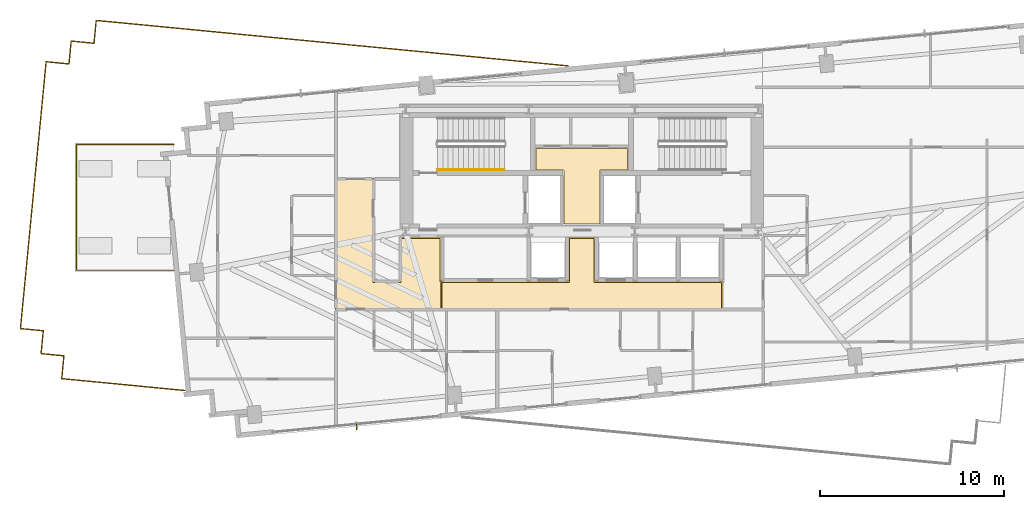
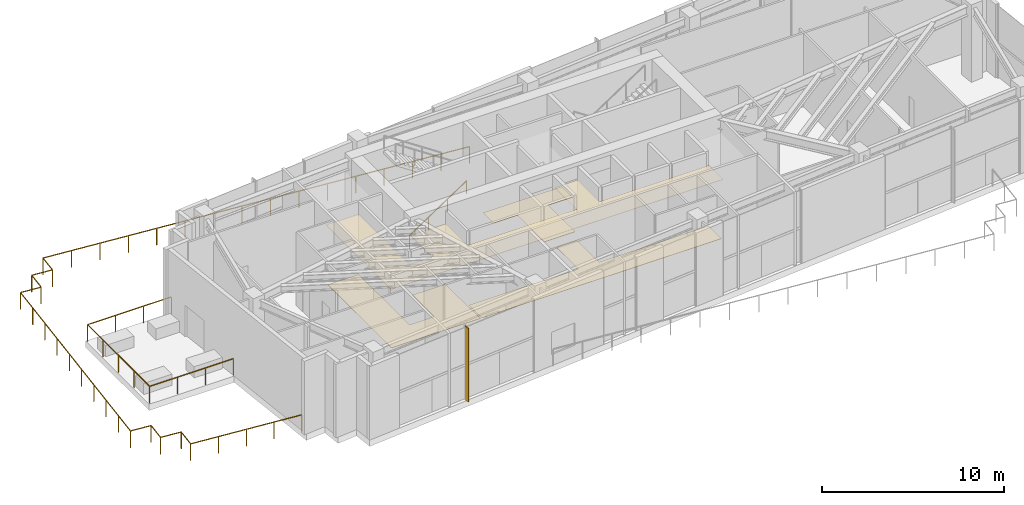
# One storey, part 18 of 21: 5 coverings, 4 railings, 1 shading device.
"""IFC4 building model written with IfcOpenShell, lengths in metres."""

from ifc_helpers import new_model, si_unit, direction, frame, origin, origin_2d, place, context, subcontext, project, spatial, polyline, rectangle, outline, extrude, source, transform, mapped, material, layer, layer_set, type_object, type_shapes, element, save


model = new_model("IFC4")

# Units and contexts
model_context = context("Model", 3, precision=1e-05, world=origin(), true_north=direction((0.0, 1.0)))
body_context = subcontext(model_context, "Body", "Model", "MODEL_VIEW")
ifc_project = project(units=[si_unit("LENGTHUNIT", "METRE"), si_unit("AREAUNIT", "SQUARE_METRE"), si_unit("VOLUMEUNIT", "CUBIC_METRE"), si_unit("PLANEANGLEUNIT", "RADIAN"), si_unit("MASSUNIT", "GRAM", prefix="KILO")], contexts=[model_context])

# Site, building, storey
site_placement = place(None, origin())
site = spatial("IfcSite", under=ifc_project, at=site_placement, CompositionType="ELEMENT")
building_placement = place(site_placement, origin())
building = spatial("IfcBuilding", under=site, at=building_placement, Name="Astriad Promenade Condominiums", CompositionType="ELEMENT")
storey_placement = place(building_placement, frame((0.0, 0.0, 167.800048828125)))
storey = spatial("IfcBuildingStorey", under=building, at=storey_placement, Name="L48", CompositionType="ELEMENT", Elevation=167.800048828125)

# Coverings
ifc_material_1 = material(Name="Mineral-Fibre Acoustic Ceiling Tile")
ifc_layer_1 = layer(ifc_material_1, 0.02490234375)
ifc_layer_set_1 = layer_set([ifc_layer_1], Name="Mineral-Fibre Acoustic Ceiling Tile")
covering_type_1 = type_object("IfcCoveringType", Name="COV-CEIL-ACOUSTIC-25", PredefinedType="CEILING", material=ifc_layer_set_1)
covering_1_placement = place(storey_placement, frame((0.0, 0.0, 3.994873046875)))
element("IfcCovering", 1, at=covering_1_placement, inside=storey, type_object=covering_type_1, Name="CEIL-L48-LLB", PredefinedType="CEILING", context=body_context, shape_type="SweptSolid", body=[
    extrude(outline(polyline([(35.27001953125, 14.679931640625), (35.27001953125, 17.050048828125), (35.27001953125, 17.052978515625), (35.2705078125, 17.055908203125), (35.271240234375, 17.05859375), (35.272216796875, 17.0615234375), (35.2734375, 17.064208984375), (35.275146484375, 17.066650390625), (35.27685546875, 17.069091796875), (35.27880859375, 17.0712890625), (35.281005859375, 17.0732421875), (35.283203125, 17.074951171875), (35.285888671875, 17.076416015625), (35.28857421875, 17.07763671875), (35.291259765625, 17.07861328125), (35.294189453125, 17.079345703125), (35.297119140625, 17.079833984375), (35.300048828125, 17.080078125), (36.699951171875, 17.080078125), (36.702880859375, 17.079833984375), (36.705810546875, 17.079345703125), (36.708740234375, 17.07861328125), (36.71142578125, 17.07763671875), (36.714111328125, 17.076416015625), (36.716796875, 17.074951171875), (36.718994140625, 17.0732421875), (36.72119140625, 17.0712890625), (36.72314453125, 17.069091796875), (36.724853515625, 17.066650390625), (36.7265625, 17.064208984375), (36.727783203125, 17.0615234375), (36.728759765625, 17.05859375), (36.7294921875, 17.055908203125), (36.72998046875, 17.052978515625), (36.72998046875, 17.050048828125), (36.72998046875, 14.679931640625), (43.64990234375, 14.679931640625), (43.65283203125, 14.679931640625), (43.656005859375, 14.679443359375), (43.65869140625, 14.6787109375), (43.66162109375, 14.677734375), (43.6640625, 14.676513671875), (43.666748046875, 14.6748046875), (43.6689453125, 14.673095703125), (43.671142578125, 14.671142578125), (43.673095703125, 14.6689453125), (43.6748046875, 14.666748046875), (43.676513671875, 14.6640625), (43.677734375, 14.66162109375), (43.6787109375, 14.65869140625), (43.679443359375, 14.656005859375), (43.679931640625, 14.65283203125), (43.679931640625, 14.64990234375), (43.679931640625, 13.14990234375), (43.679931640625, 13.147216796875), (43.679443359375, 13.14404296875), (43.6787109375, 13.141357421875), (43.677734375, 13.138427734375), (43.676513671875, 13.135986328125), (43.6748046875, 13.13330078125), (43.673095703125, 13.131103515625), (43.671142578125, 13.12890625), (43.6689453125, 13.126708984375), (43.666748046875, 13.125), (43.6640625, 13.12353515625), (43.66162109375, 13.122314453125), (43.65869140625, 13.121337890625), (43.656005859375, 13.12060546875), (43.65283203125, 13.1201171875), (43.64990234375, 13.1201171875), (28.35009765625, 13.1201171875), (28.34716796875, 13.1201171875), (28.343994140625, 13.12060546875), (28.34130859375, 13.121337890625), (28.33837890625, 13.122314453125), (28.3359375, 13.12353515625), (28.333251953125, 13.125), (28.3310546875, 13.126708984375), (28.328857421875, 13.12890625), (28.326904296875, 13.131103515625), (28.3251953125, 13.13330078125), (28.323486328125, 13.135986328125), (28.322265625, 13.138427734375), (28.3212890625, 13.141357421875), (28.320556640625, 13.14404296875), (28.320068359375, 13.147216796875), (28.320068359375, 13.14990234375), (28.320068359375, 14.659912109375), (28.320068359375, 14.662841796875), (28.320556640625, 14.666015625), (28.3212890625, 14.668701171875), (28.322265625, 14.67138671875), (28.323486328125, 14.674072265625), (28.3251953125, 14.6767578125), (28.326904296875, 14.678955078125), (28.328857421875, 14.68115234375), (28.3310546875, 14.68310546875), (28.333251953125, 14.684814453125), (28.3359375, 14.6865234375), (28.33837890625, 14.687744140625), (28.34130859375, 14.688720703125), (28.343994140625, 14.689453125), (28.34716796875, 14.68994140625), (28.35009765625, 14.68994140625), (33.0, 14.68994140625), (33.0029296875, 14.68994140625), (33.005859375, 14.689453125), (33.0087890625, 14.688720703125), (33.011474609375, 14.687744140625), (33.01416015625, 14.6865234375), (33.0166015625, 14.684814453125), (33.01904296875, 14.68310546875), (33.021240234375, 14.68115234375), (33.022216796875, 14.679931640625), (35.27001953125, 14.679931640625)])), origin(), (0.0, 0.0, 1.0), 0.025146484375),
])
covering_2_placement = place(storey_placement, frame((0.0, 0.0, 3.994873046875)))
element("IfcCovering", 2, at=covering_2_placement, inside=storey, type_object=covering_type_1, Name="CEIL-L48-COR-2", PredefinedType="CEILING", context=body_context, shape_type="SweptSolid", body=[
    extrude(outline(polyline([(22.59716796875, 13.1201171875), (22.593994140625, 13.12060546875), (22.59130859375, 13.121337890625), (22.58837890625, 13.122314453125), (22.5859375, 13.12353515625), (22.583251953125, 13.125), (22.5810546875, 13.126708984375), (22.578857421875, 13.12890625), (22.576904296875, 13.131103515625), (22.5751953125, 13.13330078125), (22.573486328125, 13.135986328125), (22.572265625, 13.138427734375), (22.5712890625, 13.141357421875), (22.570556640625, 13.14404296875), (22.570068359375, 13.147216796875), (22.570068359375, 13.14990234375), (22.570068359375, 20.25), (22.570068359375, 20.2529296875), (22.570556640625, 20.255859375), (22.5712890625, 20.2587890625), (22.572265625, 20.261474609375), (22.573486328125, 20.26416015625), (22.5751953125, 20.2666015625), (22.576904296875, 20.26904296875), (22.578857421875, 20.271240234375), (22.5810546875, 20.273193359375), (22.583251953125, 20.27490234375), (22.5859375, 20.276611328125), (22.58837890625, 20.277587890625), (22.59130859375, 20.27880859375), (22.593994140625, 20.279296875), (22.59716796875, 20.27978515625), (22.60009765625, 20.280029296875), (24.64990234375, 20.280029296875), (24.65283203125, 20.27978515625), (24.656005859375, 20.279296875), (24.65869140625, 20.27880859375), (24.66162109375, 20.277587890625), (24.6640625, 20.276611328125), (24.666748046875, 20.27490234375), (24.6689453125, 20.273193359375), (24.671142578125, 20.271240234375), (24.673095703125, 20.26904296875), (24.6748046875, 20.2666015625), (24.676513671875, 20.26416015625), (24.677734375, 20.261474609375), (24.6787109375, 20.2587890625), (24.679443359375, 20.255859375), (24.679931640625, 20.2529296875), (24.679931640625, 20.25), (24.679931640625, 14.68994140625), (26.090087890625, 14.68994140625), (26.090087890625, 17.050048828125), (26.090087890625, 17.052978515625), (26.090576171875, 17.055908203125), (26.09130859375, 17.05859375), (26.09228515625, 17.0615234375), (26.093505859375, 17.064208984375), (26.09521484375, 17.066650390625), (26.0966796875, 17.069091796875), (26.098876953125, 17.0712890625), (26.10107421875, 17.0732421875), (26.103271484375, 17.074951171875), (26.10595703125, 17.076416015625), (26.1083984375, 17.07763671875), (26.111328125, 17.07861328125), (26.114013671875, 17.079345703125), (26.1171875, 17.079833984375), (26.1201171875, 17.080078125), (28.320068359375, 17.080078125), (28.322998046875, 17.079833984375), (28.325927734375, 17.079345703125), (28.32861328125, 17.07861328125), (28.33154296875, 17.07763671875), (28.333984375, 17.076416015625), (28.336669921875, 17.074951171875), (28.339111328125, 17.0732421875), (28.34130859375, 17.0712890625), (28.34326171875, 17.069091796875), (28.344970703125, 17.066650390625), (28.346435546875, 17.064208984375), (28.34765625, 17.0615234375), (28.3486328125, 17.05859375), (28.349365234375, 17.055908203125), (28.349853515625, 17.052978515625), (28.35009765625, 17.050048828125), (28.35009765625, 14.7099609375), (28.34912109375, 14.7099609375), (28.34619140625, 14.709716796875), (28.343994140625, 14.709716796875), (28.34130859375, 14.709228515625), (28.33935546875, 14.708740234375), (28.33642578125, 14.7080078125), (28.334716796875, 14.70751953125), (28.331787109375, 14.70654296875), (28.330078125, 14.705810546875), (28.327392578125, 14.70458984375), (28.32568359375, 14.70361328125), (28.322998046875, 14.7021484375), (28.3212890625, 14.700927734375), (28.319091796875, 14.69921875), (28.3173828125, 14.697998046875), (28.3154296875, 14.696044921875), (28.31396484375, 14.694580078125), (28.31201171875, 14.6923828125), (28.310791015625, 14.69091796875), (28.30908203125, 14.688720703125), (28.307861328125, 14.68701171875), (28.306396484375, 14.684326171875), (28.305419921875, 14.6826171875), (28.30419921875, 14.679931640625), (28.303466796875, 14.67822265625), (28.302490234375, 14.67529296875), (28.302001953125, 14.673583984375), (28.30126953125, 14.670654296875), (28.30078125, 14.668701171875), (28.30029296875, 14.666015625), (28.30029296875, 14.663818359375), (28.300048828125, 14.660888671875), (28.300048828125, 14.659912109375), (28.300048828125, 13.14990234375), (28.300048828125, 13.14892578125), (28.30029296875, 13.14599609375), (28.30029296875, 13.14404296875), (28.30078125, 13.14111328125), (28.30126953125, 13.139404296875), (28.302001953125, 13.136474609375), (28.302490234375, 13.134521484375), (28.303466796875, 13.1318359375), (28.30419921875, 13.1298828125), (28.305419921875, 13.127197265625), (28.306396484375, 13.12548828125), (28.307861328125, 13.123046875), (28.30908203125, 13.121337890625), (28.31005859375, 13.1201171875), (22.60009765625, 13.1201171875), (22.59716796875, 13.1201171875)])), origin(), (0.0, 0.0, 1.0), 0.025146484375),
])
ifc_material_2 = material(Name="Polished Lakefront Terrazzo Flooring")
ifc_layer_2 = layer(ifc_material_2, 0.02001953125)
ifc_layer_set_2 = layer_set([ifc_layer_2], Name="Polished Lakefront Terrazzo Flooring")
covering_type_2 = type_object("IfcCoveringType", Name="COV-FLOR-TERRAZZO-20", PredefinedType="FLOORING", material=ifc_layer_set_2)
covering_3_placement = place(storey_placement, origin())
element("IfcCovering", 3, at=covering_3_placement, inside=storey, type_object=covering_type_2, Name="FLR-L48-CSL", PredefinedType="FLOORING", context=body_context, shape_type="SweptSolid", body=[
    extrude(outline(polyline([(36.97998046875, 20.699951171875), (36.97998046875, 17.7900390625), (35.02001953125, 17.7900390625), (35.02001953125, 20.699951171875), (35.019775390625, 20.703857421875), (35.019287109375, 20.707763671875), (35.018310546875, 20.711669921875), (35.01708984375, 20.71533203125), (35.015380859375, 20.718994140625), (35.01318359375, 20.72216796875), (35.010986328125, 20.725341796875), (35.00830078125, 20.728271484375), (35.00537109375, 20.73095703125), (35.002197265625, 20.7333984375), (34.998779296875, 20.7353515625), (34.995361328125, 20.737060546875), (34.99169921875, 20.73828125), (34.98779296875, 20.7392578125), (34.98388671875, 20.73974609375), (34.97998046875, 20.739990234375), (33.5, 20.739990234375), (33.5, 21.909912109375), (38.5, 21.909912109375), (38.5, 20.739990234375), (37.02001953125, 20.739990234375), (37.01611328125, 20.73974609375), (37.01220703125, 20.7392578125), (37.00830078125, 20.73828125), (37.004638671875, 20.737060546875), (37.001220703125, 20.7353515625), (36.997802734375, 20.7333984375), (36.99462890625, 20.73095703125), (36.99169921875, 20.728271484375), (36.989013671875, 20.725341796875), (36.98681640625, 20.72216796875), (36.984619140625, 20.718994140625), (36.98291015625, 20.71533203125), (36.981689453125, 20.711669921875), (36.980712890625, 20.707763671875), (36.980224609375, 20.703857421875), (36.97998046875, 20.699951171875)])), origin(), (0.0, 0.0, 1.0), 0.02001953125),
])
covering_4_placement = place(storey_placement, origin())
element("IfcCovering", 4, at=covering_4_placement, inside=storey, type_object=covering_type_2, Name="FLR-L48-LLB", PredefinedType="FLOORING", context=body_context, shape_type="SweptSolid", body=[
    extrude(outline(polyline([(32.9736328125, 14.6201171875), (32.974609375, 14.619140625), (32.977783203125, 14.61669921875), (32.981201171875, 14.61474609375), (32.984619140625, 14.613037109375), (32.98828125, 14.61181640625), (32.9921875, 14.61083984375), (32.99609375, 14.610107421875), (33.0, 14.610107421875), (35.300048828125, 14.610107421875), (35.303955078125, 14.610107421875), (35.307861328125, 14.61083984375), (35.3115234375, 14.61181640625), (35.315185546875, 14.613037109375), (35.31884765625, 14.61474609375), (35.322265625, 14.61669921875), (35.325439453125, 14.619140625), (35.328369140625, 14.62158203125), (35.330810546875, 14.62451171875), (35.333251953125, 14.627685546875), (35.335205078125, 14.631103515625), (35.3369140625, 14.634765625), (35.33837890625, 14.638427734375), (35.339111328125, 14.64208984375), (35.33984375, 14.64599609375), (35.340087890625, 14.64990234375), (35.340087890625, 17.010009765625), (36.659912109375, 17.010009765625), (36.659912109375, 14.64990234375), (36.66015625, 14.64599609375), (36.660888671875, 14.64208984375), (36.66162109375, 14.638427734375), (36.6630859375, 14.634765625), (36.664794921875, 14.631103515625), (36.666748046875, 14.627685546875), (36.669189453125, 14.62451171875), (36.671630859375, 14.62158203125), (36.674560546875, 14.619140625), (36.677734375, 14.61669921875), (36.68115234375, 14.61474609375), (36.684814453125, 14.613037109375), (36.6884765625, 14.61181640625), (36.692138671875, 14.61083984375), (36.696044921875, 14.610107421875), (36.699951171875, 14.610107421875), (43.610107421875, 14.610107421875), (43.610107421875, 13.18994140625), (28.389892578125, 13.18994140625), (28.389892578125, 14.6201171875), (32.9736328125, 14.6201171875)])), origin(), (0.0, 0.0, 1.0), 0.02001953125),
])
covering_5_placement = place(storey_placement, origin())
element("IfcCovering", 5, at=covering_5_placement, inside=storey, type_object=covering_type_2, Name="FLR-L48-COR-2", PredefinedType="FLOORING", context=body_context, shape_type="SweptSolid", body=[
    extrude(outline(polyline([(28.300048828125, 13.18994140625), (22.639892578125, 13.18994140625), (22.639892578125, 20.2099609375), (24.610107421875, 20.2099609375), (24.610107421875, 14.659912109375), (24.610107421875, 14.656005859375), (24.61083984375, 14.652099609375), (24.61181640625, 14.6484375), (24.613037109375, 14.644775390625), (24.61474609375, 14.64111328125), (24.61669921875, 14.6376953125), (24.619140625, 14.634521484375), (24.62158203125, 14.631591796875), (24.62451171875, 14.629150390625), (24.627685546875, 14.626708984375), (24.631103515625, 14.624755859375), (24.634765625, 14.623046875), (24.638427734375, 14.62158203125), (24.64208984375, 14.620849609375), (24.64599609375, 14.6201171875), (24.64990234375, 14.6201171875), (26.1201171875, 14.6201171875), (26.123779296875, 14.6201171875), (26.127685546875, 14.620849609375), (26.131591796875, 14.62158203125), (26.13525390625, 14.623046875), (26.138916015625, 14.624755859375), (26.14208984375, 14.626708984375), (26.1455078125, 14.629150390625), (26.148193359375, 14.631591796875), (26.15087890625, 14.634521484375), (26.1533203125, 14.6376953125), (26.1552734375, 14.64111328125), (26.156982421875, 14.644775390625), (26.158203125, 14.6484375), (26.1591796875, 14.652099609375), (26.159912109375, 14.656005859375), (26.159912109375, 14.659912109375), (26.159912109375, 17.010009765625), (28.280029296875, 17.010009765625), (28.280029296875, 14.659912109375), (28.2802734375, 14.656005859375), (28.28076171875, 14.652099609375), (28.28173828125, 14.6484375), (28.282958984375, 14.644775390625), (28.28466796875, 14.64111328125), (28.28662109375, 14.6376953125), (28.2890625, 14.634521484375), (28.291748046875, 14.631591796875), (28.294677734375, 14.629150390625), (28.2978515625, 14.626708984375), (28.300048828125, 14.62548828125), (28.300048828125, 13.18994140625)])), origin(), (0.0, 0.0, 1.0), 0.02001953125),
])

# Railings
ifc_material_3 = material(Name="Anodised Aluminium and Glass Terrace Guardrail", Category="aluminium")
railing_type_1 = type_object("IfcRailingType", Name="GRD-TERR-1150", PredefinedType="GUARDRAIL", material=ifc_material_3)
shared_shape_1 = source(origin(), body_context, "Body", "SweptSolid", [
    extrude(rectangle(XDim=0.048095703125, YDim=0.048095703125, at=origin_2d()), frame((0.0, 0.0, 1.1259765625), z_axis=(-0.995392196914, 0.095887300115, 0.0), x_axis=(-0.095887300115, -0.995392196914, 0.0)), (0.0, 0.0, 1.0), 1.250244140625),
    extrude(rectangle(XDim=0.048095703125, YDim=0.048095703125, at=origin_2d()), frame((-1.244384765625, 0.119873046875, 1.1259765625), z_axis=(0.09590594325, 0.995390400822, 0.0), x_axis=(-0.995390400822, 0.09590594325, 0.0)), (0.0, 0.0, 1.0), 1.25),
    extrude(rectangle(XDim=0.048095703125, YDim=0.048095703125, at=origin_2d()), frame((-1.12451171875, 1.364013671875, 1.1259765625), z_axis=(-0.995392196914, 0.095887300115, 0.0), x_axis=(-0.095887300115, -0.995392196914, 0.0)), (0.0, 0.0, 1.0), 1.250244140625),
    extrude(rectangle(XDim=0.048095703125, YDim=0.048095703125, at=origin_2d()), frame((-2.368896484375, 1.48388671875, 1.1259765625), z_axis=(0.095850691846, 0.995395722752, 0.0), x_axis=(-0.995395722752, 0.095850691846, 0.0)), (0.0, 0.0, 1.0), 14.599853515625),
    extrude(rectangle(XDim=0.048095703125, YDim=0.048095703125, at=origin_2d()), frame((-0.969482421875, 16.0166015625, 1.1259765625), z_axis=(0.995410817983, -0.095693800434, 0.0), x_axis=(0.095693800434, 0.995410817983, 0.0)), (0.0, 0.0, 1.0), 1.25),
    extrude(rectangle(XDim=0.048095703125, YDim=0.048095703125, at=origin_2d()), frame((0.27490234375, 15.89697265625, 1.1259765625), z_axis=(0.095712406644, 0.9954090291, 0.0), x_axis=(-0.9954090291, 0.095712406644, 0.0)), (0.0, 0.0, 1.0), 1.25),
    extrude(rectangle(XDim=0.048095703125, YDim=0.048095703125, at=origin_2d()), frame((0.39453125, 17.14111328125, 1.1259765625), z_axis=(0.995392196914, -0.095887300115, 0.0), x_axis=(0.095887300115, 0.995392196914, 0.0)), (0.0, 0.0, 1.0), 1.250244140625),
    extrude(rectangle(XDim=0.048095703125, YDim=0.048095703125, at=origin_2d()), frame((1.638916015625, 17.021240234375, 1.1259765625), z_axis=(0.09590594325, 0.995390400822, 0.0), x_axis=(-0.995390400822, 0.09590594325, 0.0)), (0.0, 0.0, 1.0), 1.25),
    extrude(rectangle(XDim=0.048095703125, YDim=0.048095703125, at=origin_2d()), frame((1.7587890625, 18.265380859375, 1.1259765625), z_axis=(0.995396486339, -0.095842761772, 0.0), x_axis=(0.095842761772, 0.995396486339, 0.0)), (0.0, 0.0, 1.0), 25.8017578125),
    extrude(rectangle(XDim=0.0419921875, YDim=0.0419921875, at=origin_2d()), origin(), (0.0, 0.0, 1.0), 1.101806640625),
    extrude(rectangle(XDim=0.0419921875, YDim=0.0419921875, at=origin_2d()), frame((-1.244384765625, 0.119873046875, 0.0)), (0.0, 0.0, 1.0), 1.101806640625),
    extrude(rectangle(XDim=0.0419921875, YDim=0.0419921875, at=origin_2d()), frame((-1.12451171875, 1.364013671875, 0.0)), (0.0, 0.0, 1.0), 1.101806640625),
    extrude(rectangle(XDim=0.0419921875, YDim=0.0419921875, at=origin_2d()), frame((-2.368896484375, 1.48388671875, 0.0)), (0.0, 0.0, 1.0), 1.101806640625),
    extrude(rectangle(XDim=0.0419921875, YDim=0.0419921875, at=origin_2d()), frame((-2.21337890625, 3.0986328125, 0.0)), (0.0, 0.0, 1.0), 1.101806640625),
    extrude(rectangle(XDim=0.0419921875, YDim=0.0419921875, at=origin_2d()), frame((-2.057861328125, 4.71337890625, 0.0)), (0.0, 0.0, 1.0), 1.101806640625),
    extrude(rectangle(XDim=0.0419921875, YDim=0.0419921875, at=origin_2d()), frame((-1.90234375, 6.328125, 0.0)), (0.0, 0.0, 1.0), 1.101806640625),
    extrude(rectangle(XDim=0.0419921875, YDim=0.0419921875, at=origin_2d()), frame((-1.746826171875, 7.94287109375, 0.0)), (0.0, 0.0, 1.0), 1.101806640625),
    extrude(rectangle(XDim=0.0419921875, YDim=0.0419921875, at=origin_2d()), frame((-1.591552734375, 9.5576171875, 0.0)), (0.0, 0.0, 1.0), 1.101806640625),
    extrude(rectangle(XDim=0.0419921875, YDim=0.0419921875, at=origin_2d()), frame((-1.43603515625, 11.17236328125, 0.0)), (0.0, 0.0, 1.0), 1.101806640625),
    extrude(rectangle(XDim=0.0419921875, YDim=0.0419921875, at=origin_2d()), frame((-1.280517578125, 12.787109375, 0.0)), (0.0, 0.0, 1.0), 1.101806640625),
    extrude(rectangle(XDim=0.0419921875, YDim=0.0419921875, at=origin_2d()), frame((-1.125, 14.40185546875, 0.0)), (0.0, 0.0, 1.0), 1.101806640625),
    extrude(rectangle(XDim=0.0419921875, YDim=0.0419921875, at=origin_2d()), frame((-0.969482421875, 16.0166015625, 0.0)), (0.0, 0.0, 1.0), 1.101806640625),
    extrude(rectangle(XDim=0.0419921875, YDim=0.0419921875, at=origin_2d()), frame((0.27490234375, 15.89697265625, 0.0)), (0.0, 0.0, 1.0), 1.101806640625),
    extrude(rectangle(XDim=0.0419921875, YDim=0.0419921875, at=origin_2d()), frame((0.39453125, 17.14111328125, 0.0)), (0.0, 0.0, 1.0), 1.101806640625),
    extrude(rectangle(XDim=0.0419921875, YDim=0.0419921875, at=origin_2d()), frame((1.638916015625, 17.021240234375, 0.0)), (0.0, 0.0, 1.0), 1.101806640625),
    extrude(rectangle(XDim=0.0419921875, YDim=0.0419921875, at=origin_2d()), frame((1.7587890625, 18.265380859375, 0.0)), (0.0, 0.0, 1.0), 1.101806640625),
    extrude(rectangle(XDim=0.0419921875, YDim=0.0419921875, at=origin_2d()), frame((3.470947265625, 18.1005859375, 0.0)), (0.0, 0.0, 1.0), 1.101806640625),
    extrude(rectangle(XDim=0.0419921875, YDim=0.0419921875, at=origin_2d()), frame((5.18310546875, 17.935546875, 0.0)), (0.0, 0.0, 1.0), 1.101806640625),
    extrude(rectangle(XDim=0.0419921875, YDim=0.0419921875, at=origin_2d()), frame((6.895263671875, 17.770751953125, 0.0)), (0.0, 0.0, 1.0), 1.101806640625),
    extrude(rectangle(XDim=0.0419921875, YDim=0.0419921875, at=origin_2d()), frame((8.607666015625, 17.60595703125, 0.0)), (0.0, 0.0, 1.0), 1.101806640625),
    extrude(rectangle(XDim=0.0419921875, YDim=0.0419921875, at=origin_2d()), frame((10.31982421875, 17.441162109375, 0.0)), (0.0, 0.0, 1.0), 1.101806640625),
    extrude(rectangle(XDim=0.0419921875, YDim=0.0419921875, at=origin_2d()), frame((12.031982421875, 17.276123046875, 0.0)), (0.0, 0.0, 1.0), 1.101806640625),
    extrude(rectangle(XDim=0.0419921875, YDim=0.0419921875, at=origin_2d()), frame((13.744140625, 17.111328125, 0.0)), (0.0, 0.0, 1.0), 1.101806640625),
    extrude(rectangle(XDim=0.0419921875, YDim=0.0419921875, at=origin_2d()), frame((15.456298828125, 16.946533203125, 0.0)), (0.0, 0.0, 1.0), 1.101806640625),
    extrude(rectangle(XDim=0.0419921875, YDim=0.0419921875, at=origin_2d()), frame((17.16845703125, 16.78173828125, 0.0)), (0.0, 0.0, 1.0), 1.101806640625),
    extrude(rectangle(XDim=0.0419921875, YDim=0.0419921875, at=origin_2d()), frame((18.880615234375, 16.61669921875, 0.0)), (0.0, 0.0, 1.0), 1.101806640625),
    extrude(rectangle(XDim=0.0419921875, YDim=0.0419921875, at=origin_2d()), frame((20.5927734375, 16.451904296875, 0.0)), (0.0, 0.0, 1.0), 1.101806640625),
    extrude(rectangle(XDim=0.0419921875, YDim=0.0419921875, at=origin_2d()), frame((22.30517578125, 16.287109375, 0.0)), (0.0, 0.0, 1.0), 1.101806640625),
    extrude(rectangle(XDim=0.0419921875, YDim=0.0419921875, at=origin_2d()), frame((24.017333984375, 16.122314453125, 0.0)), (0.0, 0.0, 1.0), 1.101806640625),
    extrude(rectangle(XDim=0.0419921875, YDim=0.0419921875, at=origin_2d()), frame((25.7294921875, 15.957275390625, 0.0)), (0.0, 0.0, 1.0), 1.101806640625),
    extrude(rectangle(XDim=0.0419921875, YDim=0.0419921875, at=origin_2d()), frame((27.441650390625, 15.79248046875, 0.0)), (0.0, 0.0, 1.0), 1.101806640625),
])
railing_1_placement = place(storey_placement, frame((7.79248046875, 10.618408203125, 0.0)))
element("IfcRailing", 6, at=railing_1_placement, inside=storey, type_object=railing_type_1, Name="GRD-TSTEP-L48-01", PredefinedType="GUARDRAIL", context=body_context, shape_type="MappedRepresentation", body=[
    mapped(shared_shape_1, transform((0.0, 0.0, 0.0), scale=1.0)),
])
shared_shape_2 = source(origin(), body_context, "Body", "SweptSolid", [
    extrude(rectangle(XDim=0.048095703125, YDim=0.048095703125, at=origin_2d()), frame((0.0, 0.0, 1.1259765625), z_axis=(-0.995396201737, 0.09584571752, 0.0), x_axis=(-0.09584571752, -0.995396201737, 0.0)), (0.0, 0.0, 1.0), 6.73486328125),
    extrude(rectangle(XDim=0.048095703125, YDim=0.048095703125, at=origin_2d()), frame((-6.703857421875, 0.6455078125, 1.1259765625), z_axis=(0.09590594325, 0.995390400822, 0.0), x_axis=(-0.995390400822, 0.09590594325, 0.0)), (0.0, 0.0, 1.0), 1.25),
    extrude(rectangle(XDim=0.0419921875, YDim=0.0419921875, at=origin_2d()), origin(), (0.0, 0.0, 1.0), 1.101806640625),
    extrude(rectangle(XDim=0.0419921875, YDim=0.0419921875, at=origin_2d()), frame((-1.676025390625, 0.161376953125, 0.0)), (0.0, 0.0, 1.0), 1.101806640625),
    extrude(rectangle(XDim=0.0419921875, YDim=0.0419921875, at=origin_2d()), frame((-3.35205078125, 0.32275390625, 0.0)), (0.0, 0.0, 1.0), 1.101806640625),
    extrude(rectangle(XDim=0.0419921875, YDim=0.0419921875, at=origin_2d()), frame((-5.02783203125, 0.484130859375, 0.0)), (0.0, 0.0, 1.0), 1.101806640625),
    extrude(rectangle(XDim=0.0419921875, YDim=0.0419921875, at=origin_2d()), frame((-6.703857421875, 0.6455078125, 0.0)), (0.0, 0.0, 1.0), 1.101806640625),
    extrude(rectangle(XDim=0.0419921875, YDim=0.0419921875, at=origin_2d()), frame((-6.583984375, 1.8896484375, 0.0)), (0.0, 0.0, 1.0), 1.101806640625),
])
railing_2_placement = place(storey_placement, frame((14.37646484375, 8.728759765625, 0.0)))
element("IfcRailing", 7, at=railing_2_placement, inside=storey, type_object=railing_type_1, Name="GRD-TSTEP-L48-02", PredefinedType="GUARDRAIL", context=body_context, shape_type="MappedRepresentation", body=[
    mapped(shared_shape_2, transform((0.0, 0.0, 0.0), scale=1.0)),
])

# Shading device
ifc_material_4 = material(Name="Anodised aluminium 6063-T6 Black Fin", Category="aluminium")
shading_device_type = type_object("IfcShadingDeviceType", Name="FIN-BLACK-260", PredefinedType="USERDEFINED", material=ifc_material_4)
shared_shape_3 = source(origin(), body_context, "Body", "SweptSolid", [
    extrude(rectangle(XDim=0.06494140625, YDim=0.320068359375, at=origin_2d()), origin(), (0.0, 0.0, 1.0), 4.93994140625),
])
type_shapes(shading_device_type, [shared_shape_3])
shading_device_placement = place(storey_placement, frame((23.7333984375, 6.758056640625, 0.0), z_axis=(0.0, 0.0, 1.0), x_axis=(-0.995396198367, -0.09584575252, 0.0)))
element("IfcShadingDevice", 8, at=shading_device_placement, inside=storey, type_object=shading_device_type, Name="CW-L48-S-5-FIN-01", ObjectType="FIN", PredefinedType="USERDEFINED", context=body_context, shape_type="MappedRepresentation", body=[
    mapped(shared_shape_3, transform((0.0, 0.0, 0.0), scale=1.0)),
])

# Railings
shared_shape_4 = source(origin(), body_context, "Body", "SweptSolid", [
    extrude(rectangle(XDim=0.048095703125, YDim=0.048095703125, at=origin_2d()), frame((0.0, 0.0, 1.1259765625), z_axis=(-1.0, 0.0, 0.0), x_axis=(0.0, -1.0, 0.0)), (0.0, 0.0, 1.0), 5.320068359375),
    extrude(rectangle(XDim=0.048095703125, YDim=0.048095703125, at=origin_2d()), frame((-5.320068359375, 0.0, 1.1259765625), z_axis=(0.0, 1.0, 0.0), x_axis=(-1.0, 0.0, 0.0)), (0.0, 0.0, 1.0), 6.840087890625),
    extrude(rectangle(XDim=0.048095703125, YDim=0.048095703125, at=origin_2d()), frame((-5.320068359375, 6.840087890625, 1.1259765625), z_axis=(1.0, 0.0, 0.0), x_axis=(0.0, 1.0, 0.0)), (0.0, 0.0, 1.0), 5.320068359375),
    extrude(rectangle(XDim=0.0419921875, YDim=0.0419921875, at=origin_2d()), origin(), (0.0, 0.0, 1.0), 1.101806640625),
    extrude(rectangle(XDim=0.0419921875, YDim=0.0419921875, at=origin_2d()), frame((-1.7734375, 0.0, 0.0)), (0.0, 0.0, 1.0), 1.101806640625),
    extrude(rectangle(XDim=0.0419921875, YDim=0.0419921875, at=origin_2d()), frame((-3.546630859375, 0.0, 0.0)), (0.0, 0.0, 1.0), 1.101806640625),
    extrude(rectangle(XDim=0.0419921875, YDim=0.0419921875, at=origin_2d()), frame((-5.320068359375, 0.0, 0.0)), (0.0, 0.0, 1.0), 1.101806640625),
    extrude(rectangle(XDim=0.0419921875, YDim=0.0419921875, at=origin_2d()), frame((-5.320068359375, 1.7099609375, 0.0)), (0.0, 0.0, 1.0), 1.101806640625),
    extrude(rectangle(XDim=0.0419921875, YDim=0.0419921875, at=origin_2d()), frame((-5.320068359375, 3.419921875, 0.0)), (0.0, 0.0, 1.0), 1.101806640625),
    extrude(rectangle(XDim=0.0419921875, YDim=0.0419921875, at=origin_2d()), frame((-5.320068359375, 5.130126953125, 0.0)), (0.0, 0.0, 1.0), 1.101806640625),
    extrude(rectangle(XDim=0.0419921875, YDim=0.0419921875, at=origin_2d()), frame((-5.320068359375, 6.840087890625, 0.0)), (0.0, 0.0, 1.0), 1.101806640625),
    extrude(rectangle(XDim=0.0419921875, YDim=0.0419921875, at=origin_2d()), frame((-3.546630859375, 6.840087890625, 0.0)), (0.0, 0.0, 1.0), 1.101806640625),
    extrude(rectangle(XDim=0.0419921875, YDim=0.0419921875, at=origin_2d()), frame((-1.7734375, 6.840087890625, 0.0)), (0.0, 0.0, 1.0), 1.101806640625),
    extrude(rectangle(XDim=0.0419921875, YDim=0.0419921875, at=origin_2d()), frame((0.0, 6.840087890625, 0.0)), (0.0, 0.0, 1.0), 1.101806640625),
])
type_shapes(railing_type_1, [shared_shape_1, shared_shape_2, shared_shape_4])
railing_3_placement = place(storey_placement, frame((13.800048828125, 15.280029296875, 0.0)))
element("IfcRailing", 9, at=railing_3_placement, inside=storey, type_object=railing_type_1, Name="GRD-SG-L48", PredefinedType="GUARDRAIL", context=body_context, shape_type="MappedRepresentation", body=[
    mapped(shared_shape_4, transform((0.0, 0.0, 0.0), scale=1.0)),
])
ifc_material_5 = material(Name="Brushed Stainless Steel Handrail", Category="steel")
railing_type_2 = type_object("IfcRailingType", Name="HRL-STAIR-920", PredefinedType="HANDRAIL", material=ifc_material_5)
shared_shape_5 = source(origin(), body_context, "Body", "SweptSolid", [
    extrude(rectangle(XDim=0.048095703125, YDim=0.048095703125, at=origin_2d()), frame((0.0, 0.0, 0.8759765625), z_axis=(0.833363587613, 0.0, 0.552725185641), x_axis=(0.0, 1.0, 0.0)), (0.0, 0.0, 1.0), 4.367919921875),
    extrude(rectangle(XDim=0.0419921875, YDim=0.0419921875, at=origin_2d()), origin(), (0.0, 0.0, 1.0), 0.851806640625),
    extrude(rectangle(XDim=0.0419921875, YDim=0.0419921875, at=origin_2d()), frame((1.21337890625, 0.0, 0.8046875)), (0.0, 0.0, 1.0), 0.851806640625),
    extrude(rectangle(XDim=0.0419921875, YDim=0.0419921875, at=origin_2d()), frame((2.4267578125, 0.0, 1.609619140625)), (0.0, 0.0, 1.0), 0.851806640625),
    extrude(rectangle(XDim=0.0419921875, YDim=0.0419921875, at=origin_2d()), frame((3.64013671875, 0.0, 2.414306640625)), (0.0, 0.0, 1.0), 0.851806640625),
])
type_shapes(railing_type_2, [shared_shape_5])
railing_4_placement = place(storey_placement, frame((28.14990234375, 20.75, 0.185546875)))
element("IfcRailing", 10, at=railing_4_placement, inside=storey, type_object=railing_type_2, Name="L48 ST-1 stair handrail 1", PredefinedType="HANDRAIL", context=body_context, shape_type="MappedRepresentation", body=[
    mapped(shared_shape_5, transform((0.0, 0.0, 0.0), scale=1.0)),
])

save(model, "model.ifc")
